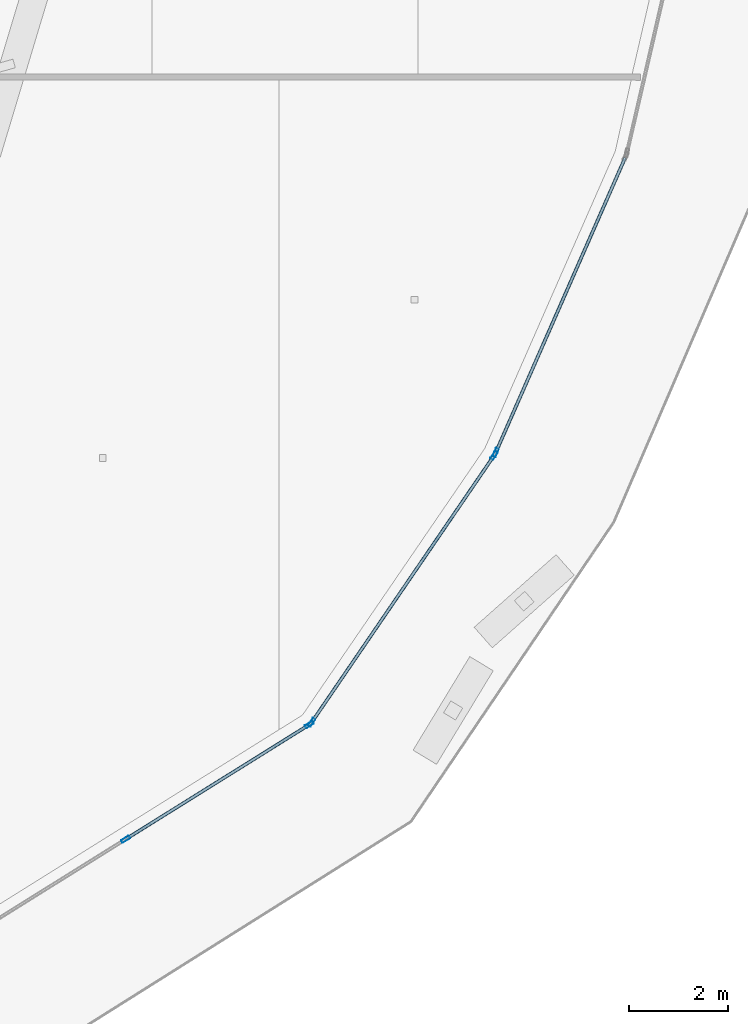
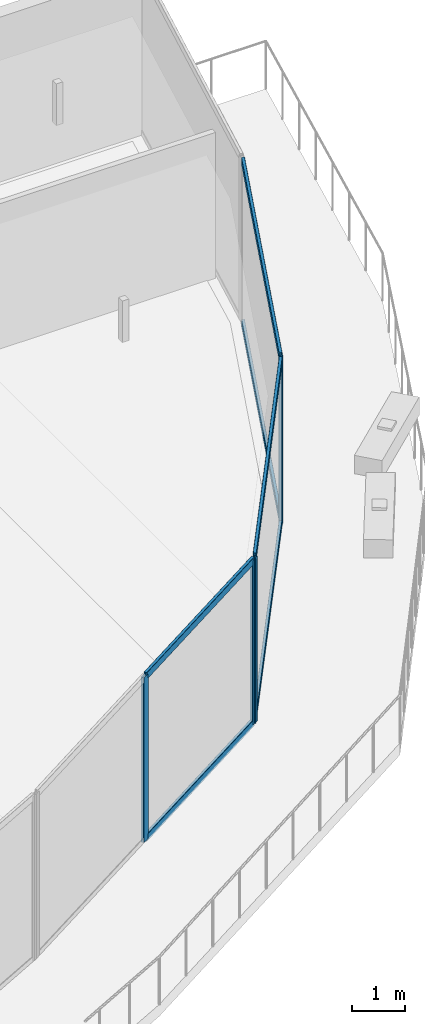
# One storey, part 10 of 39: 11 members, 3 elements without a shape of their own.
"""IFC4 building model written with IfcOpenShell, lengths in metres."""

from ifc_helpers import new_model, si_unit, direction, frame, origin, origin_2d, place, context, subcontext, project, spatial, hollow_rectangle, extrude, material, layer, layer_set, material_profile, profile_set, type_object, element, aggregate, save


model = new_model("IFC4")

# Units and contexts
model_context = context("Model", 3, precision=1e-05, world=origin(), true_north=direction((0.0, 1.0)))
body_context = subcontext(model_context, "Body", "Model", "MODEL_VIEW")
ifc_project = project(units=[si_unit("LENGTHUNIT", "METRE"), si_unit("AREAUNIT", "SQUARE_METRE"), si_unit("VOLUMEUNIT", "CUBIC_METRE"), si_unit("PLANEANGLEUNIT", "RADIAN"), si_unit("MASSUNIT", "GRAM", prefix="KILO")], contexts=[model_context])

# Site, building, storey
site_placement = place(None, origin())
site = spatial("IfcSite", under=ifc_project, at=site_placement, CompositionType="ELEMENT")
building_placement = place(site_placement, origin())
building = spatial("IfcBuilding", under=site, at=building_placement, Name="Qorvath Tower", CompositionType="ELEMENT")
storey_placement = place(building_placement, frame((0.0, 0.0, 162.449951171875)))
storey = spatial("IfcBuildingStorey", under=building, at=storey_placement, Name="L37", CompositionType="ELEMENT", Elevation=162.449951171875)

# Curtain wall, members
ifc_material_1 = material(Name="Anodised aluminium and triple low-E glass", Category="aluminium")
ifc_layer = layer(ifc_material_1, 0.179931640625)
ifc_layer_set = layer_set([ifc_layer], Name="CW-SYS-3")
curtain_wall_type = type_object("IfcCurtainWallType", Name="CW-SYS-3", PredefinedType="NOTDEFINED", material=ifc_layer_set)
curtain_wall_1_placement = place(storey_placement, origin())
curtain_wall_1 = element("IfcCurtainWall", 1, at=curtain_wall_1_placement, inside=storey, type_object=curtain_wall_type, Name="Curtain Wall CW-3 CW-T-L37-4.1", PredefinedType="NOTDEFINED")
ifc_material_2 = material(Name="Anodised aluminium 6063-T6", Category="aluminium")
ifc_material_profile_1 = material_profile(ifc_material_2, hollow_rectangle(XDim=0.06494140625, YDim=0.179931640625, WallThickness=0.00341796875, InnerFilletRadius=0.00341796875, OuterFilletRadius=0.007080078125, at=origin_2d()), Name="CWM 180x65")
ifc_profile_set_1 = profile_set([ifc_material_profile_1], Name="Anodised aluminium 6063-T6")
member_type_1 = type_object("IfcMemberType", Name="CWM-180", PredefinedType="MULLION", material=ifc_profile_set_1)
member_1_placement = place(storey_placement, frame((-8.30859375, -24.916748046875, 0.0), z_axis=(0.0, 0.0, 1.0), x_axis=(-0.52938420478, 0.848382203803, 0.0)))
member_1 = element("IfcMember", 2, at=member_1_placement, type_object=member_type_1, Name="CW-3 mullion 2", PredefinedType="MULLION", context=body_context, shape_type="SweptSolid", body=[
    extrude(hollow_rectangle(XDim=0.06494140625, YDim=0.179931640625, WallThickness=0.00341796875, InnerFilletRadius=0.00341796875, OuterFilletRadius=0.007080078125, at=origin_2d()), origin(), (0.0, 0.0, 1.0), 3.780029296875),
])
member_2_placement = place(storey_placement, frame((-4.61376953125, -22.611083984375, 0.0), z_axis=(0.0, 0.0, 1.0), x_axis=(-0.52938420478, 0.848382203803, 0.0)))
member_2 = element("IfcMember", 3, at=member_2_placement, type_object=member_type_1, Name="CW-3 mullion 3", PredefinedType="MULLION", context=body_context, shape_type="SweptSolid", body=[
    extrude(hollow_rectangle(XDim=0.06494140625, YDim=0.179931640625, WallThickness=0.00341796875, InnerFilletRadius=0.00341796875, OuterFilletRadius=0.007080078125, at=origin_2d()), origin(), (0.0, 0.0, 1.0), 3.780029296875),
])

curtain_wall_2_placement = place(storey_placement, origin())
curtain_wall_2 = element("IfcCurtainWall", 4, at=curtain_wall_2_placement, inside=storey, type_object=curtain_wall_type, Name="Curtain Wall CW-3 CW-T-L37-5.1", PredefinedType="NOTDEFINED")
member_3_placement = place(storey_placement, frame((-4.56787109375, -22.567138671875, 0.0), z_axis=(0.0, 0.0, 1.0), x_axis=(-0.825559911065, 0.564314480802, 0.0)))
member_3 = element("IfcMember", 5, at=member_3_placement, type_object=member_type_1, Name="CW-3 mullion 1", PredefinedType="MULLION", context=body_context, shape_type="SweptSolid", body=[
    extrude(hollow_rectangle(XDim=0.06494140625, YDim=0.179931640625, WallThickness=0.00341796875, InnerFilletRadius=0.00341796875, OuterFilletRadius=0.007080078125, at=origin_2d()), origin(), (0.0, 0.0, 1.0), 3.780029296875),
])
member_4_placement = place(storey_placement, frame((-0.896728515625, -17.196533203125, 0.0), z_axis=(0.0, 0.0, 1.0), x_axis=(-0.825559911065, 0.564314480802, 0.0)))
member_4 = element("IfcMember", 6, at=member_4_placement, type_object=member_type_1, Name="CW-3 mullion 2", PredefinedType="MULLION", context=body_context, shape_type="SweptSolid", body=[
    extrude(hollow_rectangle(XDim=0.06494140625, YDim=0.179931640625, WallThickness=0.00341796875, InnerFilletRadius=0.00341796875, OuterFilletRadius=0.007080078125, at=origin_2d()), origin(), (0.0, 0.0, 1.0), 3.780029296875),
])

# Curtain wall, member
curtain_wall_3_placement = place(storey_placement, origin())
curtain_wall_3 = element("IfcCurtainWall", 7, at=curtain_wall_3_placement, inside=storey, type_object=curtain_wall_type, Name="Curtain Wall CW-3 CW-T-L37-6.1", PredefinedType="NOTDEFINED")
member_5_placement = place(storey_placement, frame((-0.865234375, -17.139892578125, 0.0), z_axis=(0.0, 0.0, 1.0), x_axis=(-0.915662747354, 0.401947425802, 0.0)))
member_5 = element("IfcMember", 8, at=member_5_placement, type_object=member_type_1, Name="CW-3 mullion 1", PredefinedType="MULLION", context=body_context, shape_type="SweptSolid", body=[
    extrude(hollow_rectangle(XDim=0.06494140625, YDim=0.179931640625, WallThickness=0.00341796875, InnerFilletRadius=0.00341796875, OuterFilletRadius=0.007080078125, at=origin_2d()), origin(), (0.0, 0.0, 1.0), 3.780029296875),
])

# Member
ifc_material_3 = material(Name="Anodised aluminium 6063-T6", Category="aluminium")
ifc_material_profile_2 = material_profile(ifc_material_3, hollow_rectangle(XDim=0.06494140625, YDim=0.159912109375, WallThickness=0.00341796875, InnerFilletRadius=0.00341796875, OuterFilletRadius=0.007080078125, at=origin_2d()), Name="CWT 160x65")
ifc_profile_set_2 = profile_set([ifc_material_profile_2], Name="Anodised aluminium 6063-T6")
member_type_2 = type_object("IfcMemberType", Name="CWT-160", PredefinedType="USERDEFINED", material=ifc_profile_set_2)
member_6_placement = place(storey_placement, frame((-8.281005859375, -24.899658203125, 0.032470703125), z_axis=(0.84836895075, 0.529405443307, 0.0), x_axis=(-0.529405443307, 0.84836895075, 0.0)))
member_6 = element("IfcMember", 9, at=member_6_placement, type_object=member_type_2, Name="CW-3 transom 2.1", ObjectType="TRANSOM", PredefinedType="USERDEFINED", context=body_context, shape_type="SweptSolid", body=[
    extrude(hollow_rectangle(XDim=0.06494140625, YDim=0.159912109375, WallThickness=0.00341796875, InnerFilletRadius=0.00341796875, OuterFilletRadius=0.007080078125, at=origin_2d()), origin(), (0.0, 0.0, 1.0), 4.290283203125),
])

member_7_placement = place(storey_placement, frame((-8.281005859375, -24.899658203125, 3.74755859375), z_axis=(0.84836895075, 0.529405443307, 0.0), x_axis=(-0.529405443307, 0.84836895075, 0.0)))
member_7 = element("IfcMember", 10, at=member_7_placement, type_object=member_type_2, Name="CW-3 transom 2.2", ObjectType="TRANSOM", PredefinedType="USERDEFINED", context=body_context, shape_type="SweptSolid", body=[
    extrude(hollow_rectangle(XDim=0.06494140625, YDim=0.159912109375, WallThickness=0.00341796875, InnerFilletRadius=0.00341796875, OuterFilletRadius=0.007080078125, at=origin_2d()), origin(), (0.0, 0.0, 1.0), 4.290283203125),
])

aggregate(curtain_wall_1, [member_1, member_2, member_6, member_7])

member_8_placement = place(storey_placement, frame((-4.549560546875, -22.540283203125, 0.032470703125), z_axis=(0.564329177846, 0.825549864655, 0.0), x_axis=(-0.825549864655, 0.564329177846, 0.0)))
member_8 = element("IfcMember", 11, at=member_8_placement, type_object=member_type_2, Name="CW-3 transom 1.1", ObjectType="TRANSOM", PredefinedType="USERDEFINED", context=body_context, shape_type="SweptSolid", body=[
    extrude(hollow_rectangle(XDim=0.06494140625, YDim=0.159912109375, WallThickness=0.00341796875, InnerFilletRadius=0.00341796875, OuterFilletRadius=0.007080078125, at=origin_2d()), origin(), (0.0, 0.0, 1.0), 6.4404296875),
])

member_9_placement = place(storey_placement, frame((-4.549560546875, -22.540283203125, 3.74755859375), z_axis=(0.564329177846, 0.825549864655, 0.0), x_axis=(-0.825549864655, 0.564329177846, 0.0)))
member_9 = element("IfcMember", 12, at=member_9_placement, type_object=member_type_2, Name="CW-3 transom 1.2", ObjectType="TRANSOM", PredefinedType="USERDEFINED", context=body_context, shape_type="SweptSolid", body=[
    extrude(hollow_rectangle(XDim=0.06494140625, YDim=0.159912109375, WallThickness=0.00341796875, InnerFilletRadius=0.00341796875, OuterFilletRadius=0.007080078125, at=origin_2d()), origin(), (0.0, 0.0, 1.0), 6.4404296875),
])

aggregate(curtain_wall_2, [member_3, member_4, member_8, member_9])

member_10_placement = place(storey_placement, frame((-0.852294921875, -17.110107421875, 0.032470703125), z_axis=(0.401955955747, 0.915659002926, 0.0), x_axis=(-0.915659002926, 0.401955955747, 0.0)))
member_10 = element("IfcMember", 13, at=member_10_placement, type_object=member_type_2, Name="CW-3 transom 1.1", ObjectType="TRANSOM", PredefinedType="USERDEFINED", context=body_context, shape_type="SweptSolid", body=[
    extrude(hollow_rectangle(XDim=0.06494140625, YDim=0.159912109375, WallThickness=0.00341796875, InnerFilletRadius=0.00341796875, OuterFilletRadius=0.007080078125, at=origin_2d()), origin(), (0.0, 0.0, 1.0), 6.440673828125),
])

member_11_placement = place(storey_placement, frame((-0.852294921875, -17.110107421875, 3.74755859375), z_axis=(0.401955955747, 0.915659002926, 0.0), x_axis=(-0.915659002926, 0.401955955747, 0.0)))
member_11 = element("IfcMember", 14, at=member_11_placement, type_object=member_type_2, Name="CW-3 transom 1.2", ObjectType="TRANSOM", PredefinedType="USERDEFINED", context=body_context, shape_type="SweptSolid", body=[
    extrude(hollow_rectangle(XDim=0.06494140625, YDim=0.159912109375, WallThickness=0.00341796875, InnerFilletRadius=0.00341796875, OuterFilletRadius=0.007080078125, at=origin_2d()), origin(), (0.0, 0.0, 1.0), 6.440673828125),
])

aggregate(curtain_wall_3, [member_5, member_10, member_11])

save(model, "model.ifc")
